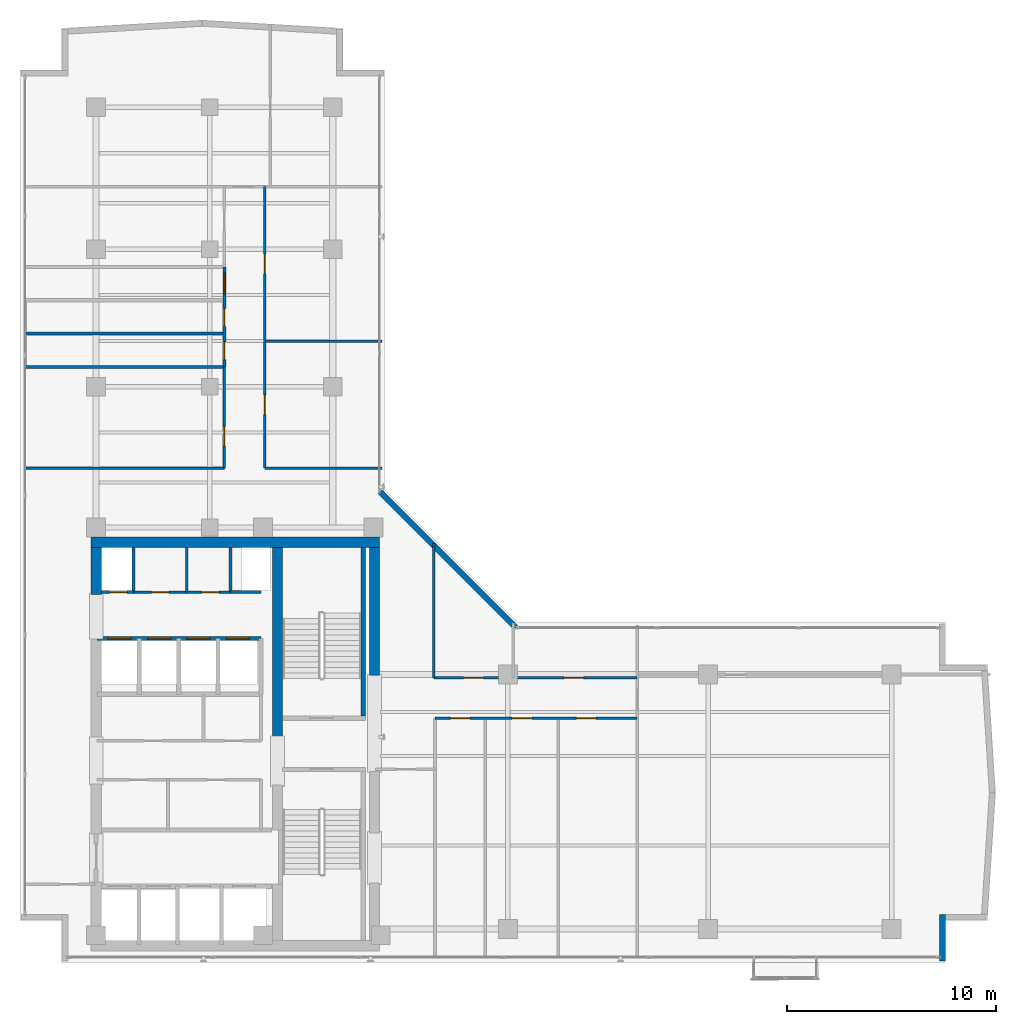
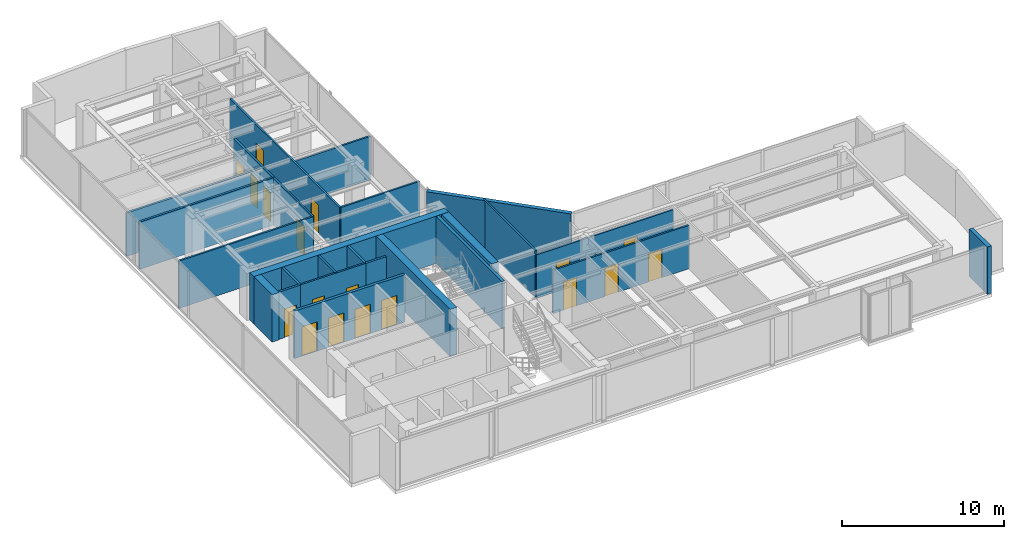
# One storey, part 17 of 23: 25 walls, 18 doors, 18 openings.
"""IFC4 building model written with IfcOpenShell, lengths in metres."""

from ifc_helpers import new_model, si_unit, direction, frame, frame_2d, origin, place, context, subcontext, project, spatial, rectangle, extrude, material, layer, layer_set, type_object, element, fill, save


model = new_model("IFC4")

# Units and contexts
model_context = context("Model", 3, precision=1e-05, world=origin(), true_north=direction((0.0, 1.0)))
body_context = subcontext(model_context, "Body", "Model", "MODEL_VIEW")
ifc_project = project(units=[si_unit("LENGTHUNIT", "METRE"), si_unit("AREAUNIT", "SQUARE_METRE"), si_unit("VOLUMEUNIT", "CUBIC_METRE"), si_unit("PLANEANGLEUNIT", "RADIAN"), si_unit("MASSUNIT", "GRAM", prefix="KILO")], contexts=[model_context])

# Site, building, storey
site_placement = place(None, origin())
site = spatial("IfcSite", under=ifc_project, at=site_placement, CompositionType="ELEMENT")
building_placement = place(site_placement, origin())
building = spatial("IfcBuilding", under=site, at=building_placement, Name="Kolvaren Waterfront Exchange", CompositionType="ELEMENT")
storey_placement = place(building_placement, frame((0.0, 0.0, 304.60009765625)))
storey = spatial("IfcBuildingStorey", under=building, at=storey_placement, Name="L78", CompositionType="ELEMENT", Elevation=304.60009765625)

# Walls
ifc_material_1 = material(Name="Precast concrete C40/50", Category="concrete")
ifc_layer_1 = layer(ifc_material_1, 0.280029296875, Name="Precast concrete C40/50")
ifc_layer_set_1 = layer_set([ifc_layer_1], Name="Precast concrete C40/50")
wall_type_1 = type_object("IfcWallType", Name="ARC-EXT-TERR-280", PredefinedType="SOLIDWALL", material=ifc_layer_set_1)
wall_1_placement = place(storey_placement, frame((48.03466796875, 3.659912109375, 0.0), z_axis=(0.0, 0.0, 1.0), x_axis=(0.0, 1.0, 0.0)))
element("IfcWall", 1, at=wall_1_placement, inside=storey, type_object=wall_type_1, Name="L78 notched corner spandrel pier SE-A", PredefinedType="SOLIDWALL", context=body_context, shape_type="SweptSolid", body=[
    extrude(rectangle(XDim=2.239990234375, YDim=0.280029296875, at=frame_2d((1.1201171875, 0.0))), origin(), (0.0, 0.0, 1.0), 3.559814453125),
])
wall_2_placement = place(storey_placement, frame((27.569091796875, 19.6591796875, 0.0), z_axis=(0.0, 0.0, 1.0), x_axis=(-0.707106781187, 0.707106781187, 0.0)))
element("IfcWall", 2, at=wall_2_placement, inside=storey, type_object=wall_type_1, Name="L78 notched corner spandrel pier ELBOW", PredefinedType="SOLIDWALL", context=body_context, shape_type="SweptSolid", body=[
    extrude(rectangle(XDim=9.20654296875, YDim=0.280029296875, at=frame_2d((4.603271484375, 0.0))), origin(), (0.0, 0.0, 1.0), 3.559814453125),
])

# Wall, openings, doors
ifc_material_2 = material(Name="Acoustic gypsum steel stud", Category="steel")
ifc_layer_2 = layer(ifc_material_2, 0.125, Name="Acoustic gypsum steel stud")
ifc_layer_set_2 = layer_set([ifc_layer_2], Name="Acoustic gypsum steel stud")
wall_type_2 = type_object("IfcWallType", Name="ARC-PART-125", PredefinedType="PARTITIONING", material=ifc_layer_set_2)
wall_3_placement = place(storey_placement, frame((9.25, 21.35009765625, 0.0), z_axis=(0.0, 0.0, 1.0), x_axis=(1.0, 0.0, 0.0)))
wall_3 = element("IfcWall", 3, at=wall_3_placement, inside=storey, type_object=wall_type_2, Name="L78 interior wall PW-L78-SVC-HI-S", PredefinedType="PARTITIONING", context=body_context, shape_type="SweptSolid", body=[
    extrude(rectangle(XDim=4.64990234375, YDim=0.125, at=frame_2d((2.324951171875, 0.0))), origin(), (0.0, 0.0, 1.0), 3.559814453125),
])
opening_1_placement = place(wall_3_placement, frame((0.85009765625, 0.0, 0.0)))
opening_1 = element("IfcOpeningElement", 4, at=opening_1_placement, cuts=wall_3, Name="Opening D01", PredefinedType="OPENING", context=body_context, shape_type="SweptSolid", body=[
    extrude(rectangle(XDim=0.85009765625, YDim=2.14990234375, at=frame_2d((0.425048828125, 1.074951171875))), frame((0.0, 0.072509765625, 0.0), z_axis=(0.0, -1.0, 0.0), x_axis=(1.0, 0.0, 0.0)), (0.0, 0.0, 1.0), 0.14501953125),
])
opening_2_placement = place(wall_3_placement, frame((3.25, 0.0, 0.0)))
opening_2 = element("IfcOpeningElement", 5, at=opening_2_placement, cuts=wall_3, Name="Opening D01", PredefinedType="OPENING", context=body_context, shape_type="SweptSolid", body=[
    extrude(rectangle(XDim=0.85009765625, YDim=2.14990234375, at=frame_2d((0.425048828125, 1.074951171875))), frame((0.0, 0.072509765625, 0.0), z_axis=(0.0, -1.0, 0.0), x_axis=(1.0, 0.0, 0.0)), (0.0, 0.0, 1.0), 0.14501953125),
])
ifc_material_3 = material(Name="Oak veneer timber leaf", Category="wood")
door_type_1 = type_object("IfcDoorType", Name="ARC-DR-900", OperationType="NOTDEFINED", PredefinedType="DOOR", material=ifc_material_3)
door_1_placement = place(opening_1_placement, origin())
door_1 = element("IfcDoor", 6, at=door_1_placement, inside=storey, type_object=door_type_1, Name="L78 door DR-L78-SVC-DR-1 (D01)", OperationType="SINGLE_SWING_RIGHT", OverallHeight=2.14990234375, OverallWidth=0.85009765625, PredefinedType="DOOR", context=body_context, shape_type="SweptSolid", body=[
    extrude(rectangle(XDim=0.85009765625, YDim=2.14990234375, at=frame_2d((0.425048828125, 1.074951171875))), frame((0.0, 0.02490234375, 0.0), z_axis=(0.0, -1.0, 0.0), x_axis=(1.0, 0.0, 0.0)), (0.0, 0.0, 1.0), 0.050048828125),
])
fill(opening_1, door_1)
door_2_placement = place(opening_2_placement, origin())
door_2 = element("IfcDoor", 7, at=door_2_placement, inside=storey, type_object=door_type_1, Name="L78 door DR-L78-SVC-DR-2 (D01)", OperationType="SINGLE_SWING_LEFT", OverallHeight=2.14990234375, OverallWidth=0.85009765625, PredefinedType="DOOR", context=body_context, shape_type="SweptSolid", body=[
    extrude(rectangle(XDim=0.85009765625, YDim=2.14990234375, at=frame_2d((0.425048828125, 1.074951171875))), frame((0.0, 0.02490234375, 0.0), z_axis=(0.0, -1.0, 0.0), x_axis=(1.0, 0.0, 0.0)), (0.0, 0.0, 1.0), 0.050048828125),
])
fill(opening_2, door_2)

# Wall
wall_4_placement = place(storey_placement, frame((11.800048828125, 21.35009765625, 0.0), z_axis=(0.0, 0.0, 1.0), x_axis=(0.0, 1.0, 0.0)))
element("IfcWall", 8, at=wall_4_placement, inside=storey, type_object=wall_type_2, Name="L78 interior wall PW-L78-SVC-HI-M", PredefinedType="PARTITIONING", context=body_context, shape_type="SweptSolid", body=[
    extrude(rectangle(XDim=2.1298828125, YDim=0.125, at=frame_2d((1.06494140625, 0.0))), origin(), (0.0, 0.0, 1.0), 3.559814453125),
])

# Wall, opening, door
wall_5_placement = place(storey_placement, frame((13.60009765625, 27.300048828125, 0.0), z_axis=(0.0, 0.0, 1.0), x_axis=(0.0, 1.0, 0.0)))
wall_5 = element("IfcWall", 9, at=wall_5_placement, inside=storey, type_object=wall_type_2, Name="L78 interior wall PW-L78-PREWC-E", PredefinedType="PARTITIONING", context=body_context, shape_type="SweptSolid", body=[
    extrude(rectangle(XDim=4.849853515625, YDim=0.125, at=frame_2d((2.4248046875, 0.0))), origin(), (0.0, 0.0, 1.0), 3.559814453125),
])
opening_3_placement = place(wall_5_placement, frame((1.050048828125, 0.0, 0.0)))
opening_3 = element("IfcOpeningElement", 10, at=opening_3_placement, cuts=wall_5, Name="Opening D02", PredefinedType="OPENING", context=body_context, shape_type="SweptSolid", body=[
    extrude(rectangle(XDim=0.949951171875, YDim=2.14990234375, at=frame_2d((0.47509765625, 1.074951171875))), frame((0.0, 0.072509765625, 0.0), z_axis=(0.0, -1.0, 0.0), x_axis=(1.0, 0.0, 0.0)), (0.0, 0.0, 1.0), 0.14501953125),
])
ifc_material_4 = material(Name="Oak veneer acoustic timber", Category="wood")
door_type_2 = type_object("IfcDoorType", Name="ARC-DR-950", OperationType="NOTDEFINED", PredefinedType="DOOR", material=ifc_material_4)
door_3_placement = place(opening_3_placement, origin())
door_3 = element("IfcDoor", 11, at=door_3_placement, inside=storey, type_object=door_type_2, Name="L78 door DR-L78-PREWC-D (D02)", OperationType="SINGLE_SWING_RIGHT", OverallHeight=2.14990234375, OverallWidth=0.949951171875, PredefinedType="DOOR", context=body_context, shape_type="SweptSolid", body=[
    extrude(rectangle(XDim=0.949951171875, YDim=2.14990234375, at=frame_2d((0.47509765625, 1.074951171875))), frame((0.0, 0.02490234375, 0.0), z_axis=(0.0, -1.0, 0.0), x_axis=(1.0, 0.0, 0.0)), (0.0, 0.0, 1.0), 0.050048828125),
])
fill(opening_3, door_3)

# Wall
wall_6_placement = place(storey_placement, frame((4.0400390625, 27.300048828125, 0.0), z_axis=(0.0, 0.0, 1.0), x_axis=(1.0, 0.0, 0.0)))
element("IfcWall", 12, at=wall_6_placement, inside=storey, type_object=wall_type_2, Name="L78 interior wall PW-L78-PREWC-S", PredefinedType="PARTITIONING", context=body_context, shape_type="SweptSolid", body=[
    extrude(rectangle(XDim=9.56005859375, YDim=0.125, at=frame_2d((4.780029296875, 0.0))), origin(), (0.0, 0.0, 1.0), 3.559814453125),
])

# Wall, openings, doors
wall_7_placement = place(storey_placement, frame((23.699951171875, 15.300048828125, 0.0), z_axis=(0.0, 0.0, 1.0), x_axis=(1.0, 0.0, 0.0)))
wall_7 = element("IfcWall", 13, at=wall_7_placement, inside=storey, type_object=wall_type_2, Name="L78 interior wall PW-L78-ES-CORR", PredefinedType="PARTITIONING", context=body_context, shape_type="SweptSolid", body=[
    extrude(rectangle(XDim=9.699951171875, YDim=0.125, at=frame_2d((4.85009765625, 0.0))), origin(), (0.0, 0.0, 1.0), 3.260009765625),
])
opening_4_placement = place(wall_7_placement, frame((0.735107421875, 0.0, 0.0)))
opening_4 = element("IfcOpeningElement", 14, at=opening_4_placement, cuts=wall_7, Name="Opening D02", PredefinedType="OPENING", context=body_context, shape_type="SweptSolid", body=[
    extrude(rectangle(XDim=0.949951171875, YDim=2.14990234375, at=frame_2d((0.47509765625, 1.074951171875))), frame((0.0, 0.072509765625, 0.0), z_axis=(0.0, -1.0, 0.0), x_axis=(1.0, 0.0, 0.0)), (0.0, 0.0, 1.0), 0.14501953125),
])
opening_5_placement = place(wall_7_placement, frame((3.695068359375, 0.0, 0.0)))
opening_5 = element("IfcOpeningElement", 15, at=opening_5_placement, cuts=wall_7, Name="Opening D02", PredefinedType="OPENING", context=body_context, shape_type="SweptSolid", body=[
    extrude(rectangle(XDim=0.949951171875, YDim=2.14990234375, at=frame_2d((0.47509765625, 1.074951171875))), frame((0.0, 0.072509765625, 0.0), z_axis=(0.0, -1.0, 0.0), x_axis=(1.0, 0.0, 0.0)), (0.0, 0.0, 1.0), 0.14501953125),
])
opening_6_placement = place(wall_7_placement, frame((6.782958984375, 0.0, 0.0)))
opening_6 = element("IfcOpeningElement", 16, at=opening_6_placement, cuts=wall_7, Name="Opening D02", PredefinedType="OPENING", context=body_context, shape_type="SweptSolid", body=[
    extrude(rectangle(XDim=0.949951171875, YDim=2.14990234375, at=frame_2d((0.47509765625, 1.074951171875))), frame((0.0, 0.072509765625, 0.0), z_axis=(0.0, -1.0, 0.0), x_axis=(1.0, 0.0, 0.0)), (0.0, 0.0, 1.0), 0.14501953125),
])
door_4_placement = place(opening_4_placement, origin())
door_4 = element("IfcDoor", 17, at=door_4_placement, inside=storey, type_object=door_type_2, Name="L78 door DR-L78-ES-D-1 (D02)", OperationType="SINGLE_SWING_RIGHT", OverallHeight=2.14990234375, OverallWidth=0.949951171875, PredefinedType="DOOR", context=body_context, shape_type="SweptSolid", body=[
    extrude(rectangle(XDim=0.949951171875, YDim=2.14990234375, at=frame_2d((0.47509765625, 1.074951171875))), frame((0.0, 0.02490234375, 0.0), z_axis=(0.0, -1.0, 0.0), x_axis=(1.0, 0.0, 0.0)), (0.0, 0.0, 1.0), 0.050048828125),
])
fill(opening_4, door_4)
door_5_placement = place(opening_5_placement, origin())
door_5 = element("IfcDoor", 18, at=door_5_placement, inside=storey, type_object=door_type_2, Name="L78 door DR-L78-ES-D-2 (D02)", OperationType="SINGLE_SWING_LEFT", OverallHeight=2.14990234375, OverallWidth=0.949951171875, PredefinedType="DOOR", context=body_context, shape_type="SweptSolid", body=[
    extrude(rectangle(XDim=0.949951171875, YDim=2.14990234375, at=frame_2d((0.47509765625, 1.074951171875))), frame((0.0, 0.02490234375, 0.0), z_axis=(0.0, -1.0, 0.0), x_axis=(1.0, 0.0, 0.0)), (0.0, 0.0, 1.0), 0.050048828125),
])
fill(opening_5, door_5)
door_6_placement = place(opening_6_placement, origin())
door_6 = element("IfcDoor", 19, at=door_6_placement, inside=storey, type_object=door_type_2, Name="L78 door DR-L78-ES-D-3 (D02)", OperationType="SINGLE_SWING_RIGHT", OverallHeight=2.14990234375, OverallWidth=0.949951171875, PredefinedType="DOOR", context=body_context, shape_type="SweptSolid", body=[
    extrude(rectangle(XDim=0.949951171875, YDim=2.14990234375, at=frame_2d((0.47509765625, 1.074951171875))), frame((0.0, 0.02490234375, 0.0), z_axis=(0.0, -1.0, 0.0), x_axis=(1.0, 0.0, 0.0)), (0.0, 0.0, 1.0), 0.050048828125),
])
fill(opening_6, door_6)

# Wall
wall_8_placement = place(storey_placement, frame((23.64990234375, 17.239990234375, 0.0), z_axis=(0.0, 0.0, 1.0), x_axis=(0.0, 1.0, 0.0)))
element("IfcWall", 20, at=wall_8_placement, inside=storey, type_object=wall_type_2, Name="L78 interior wall PW-L78-EN-W0", PredefinedType="PARTITIONING", context=body_context, shape_type="SweptSolid", body=[
    extrude(rectangle(XDim=6.4384765625, YDim=0.125, at=frame_2d((3.21923828125, 0.0))), origin(), (0.0, 0.0, 1.0), 3.559814453125),
])

# Wall, openings, doors
wall_9_placement = place(storey_placement, frame((23.64990234375, 17.239990234375, 0.0), z_axis=(0.0, 0.0, 1.0), x_axis=(1.0, 0.0, 0.0)))
wall_9 = element("IfcWall", 21, at=wall_9_placement, inside=storey, type_object=wall_type_2, Name="L78 interior wall PW-L78-EN-CORR", PredefinedType="PARTITIONING", context=body_context, shape_type="SweptSolid", body=[
    extrude(rectangle(XDim=9.75, YDim=0.125, at=frame_2d((4.875, 0.0))), origin(), (0.0, 0.0, 1.0), 3.260009765625),
])
opening_7_placement = place(wall_9_placement, frame((1.425048828125, 0.0, 0.0)))
opening_7 = element("IfcOpeningElement", 22, at=opening_7_placement, cuts=wall_9, Name="Opening D02", PredefinedType="OPENING", context=body_context, shape_type="SweptSolid", body=[
    extrude(rectangle(XDim=0.949951171875, YDim=2.14990234375, at=frame_2d((0.47509765625, 1.074951171875))), frame((0.0, 0.072509765625, 0.0), z_axis=(0.0, -1.0, 0.0), x_axis=(1.0, 0.0, 0.0)), (0.0, 0.0, 1.0), 0.14501953125),
])
opening_8_placement = place(wall_9_placement, frame((6.2275390625, 0.0, 0.0)))
opening_8 = element("IfcOpeningElement", 23, at=opening_8_placement, cuts=wall_9, Name="Opening D02", PredefinedType="OPENING", context=body_context, shape_type="SweptSolid", body=[
    extrude(rectangle(XDim=0.949951171875, YDim=2.14990234375, at=frame_2d((0.47509765625, 1.074951171875))), frame((0.0, 0.072509765625, 0.0), z_axis=(0.0, -1.0, 0.0), x_axis=(1.0, 0.0, 0.0)), (0.0, 0.0, 1.0), 0.14501953125),
])
door_7_placement = place(opening_7_placement, origin())
door_7 = element("IfcDoor", 24, at=door_7_placement, inside=storey, type_object=door_type_2, Name="L78 door DR-L78-EN-D-1 (D02)", OperationType="SINGLE_SWING_LEFT", OverallHeight=2.14990234375, OverallWidth=0.949951171875, PredefinedType="DOOR", context=body_context, shape_type="SweptSolid", body=[
    extrude(rectangle(XDim=0.949951171875, YDim=2.14990234375, at=frame_2d((0.47509765625, 1.074951171875))), frame((0.0, 0.02490234375, 0.0), z_axis=(0.0, -1.0, 0.0), x_axis=(1.0, 0.0, 0.0)), (0.0, 0.0, 1.0), 0.050048828125),
])
fill(opening_7, door_7)
door_8_placement = place(opening_8_placement, origin())
door_8 = element("IfcDoor", 25, at=door_8_placement, inside=storey, type_object=door_type_2, Name="L78 door DR-L78-EN-D-2 (D02)", OperationType="SINGLE_SWING_RIGHT", OverallHeight=2.14990234375, OverallWidth=0.949951171875, PredefinedType="DOOR", context=body_context, shape_type="SweptSolid", body=[
    extrude(rectangle(XDim=0.949951171875, YDim=2.14990234375, at=frame_2d((0.47509765625, 1.074951171875))), frame((0.0, 0.02490234375, 0.0), z_axis=(0.0, -1.0, 0.0), x_axis=(1.0, 0.0, 0.0)), (0.0, 0.0, 1.0), 0.050048828125),
])
fill(opening_8, door_8)

# Wall
wall_10_placement = place(storey_placement, frame((15.5400390625, 27.300048828125, 0.0), z_axis=(0.0, 0.0, 1.0), x_axis=(1.0, 0.0, 0.0)))
element("IfcWall", 26, at=wall_10_placement, inside=storey, type_object=wall_type_2, Name="L78 interior wall PW-L78-NE-S0", PredefinedType="PARTITIONING", context=body_context, shape_type="SweptSolid", body=[
    extrude(rectangle(XDim=5.619873046875, YDim=0.125, at=frame_2d((2.81005859375, 0.0))), origin(), (0.0, 0.0, 1.0), 3.559814453125),
])

# Wall, openings, doors
wall_11_placement = place(storey_placement, frame((15.5400390625, 27.300048828125, 0.0), z_axis=(0.0, 0.0, 1.0), x_axis=(0.0, 1.0, 0.0)))
wall_11 = element("IfcWall", 27, at=wall_11_placement, inside=storey, type_object=wall_type_2, Name="L78 interior wall PW-L78-NE-CORR", PredefinedType="PARTITIONING", context=body_context, shape_type="SweptSolid", body=[
    extrude(rectangle(XDim=13.5, YDim=0.125, at=frame_2d((6.75, 0.0))), origin(), (0.0, 0.0, 1.0), 3.559814453125),
])
opening_9_placement = place(wall_11_placement, frame((2.56494140625, 0.0, 0.0)))
opening_9 = element("IfcOpeningElement", 28, at=opening_9_placement, cuts=wall_11, Name="Opening D02", PredefinedType="OPENING", context=body_context, shape_type="SweptSolid", body=[
    extrude(rectangle(XDim=0.949951171875, YDim=2.14990234375, at=frame_2d((0.47509765625, 1.074951171875))), frame((0.0, 0.072509765625, 0.0), z_axis=(0.0, -1.0, 0.0), x_axis=(1.0, 0.0, 0.0)), (0.0, 0.0, 1.0), 0.14501953125),
])
opening_10_placement = place(wall_11_placement, frame((9.31494140625, 0.0, 0.0)))
opening_10 = element("IfcOpeningElement", 29, at=opening_10_placement, cuts=wall_11, Name="Opening D02", PredefinedType="OPENING", context=body_context, shape_type="SweptSolid", body=[
    extrude(rectangle(XDim=0.949951171875, YDim=2.14990234375, at=frame_2d((0.47509765625, 1.074951171875))), frame((0.0, 0.072509765625, 0.0), z_axis=(0.0, -1.0, 0.0), x_axis=(1.0, 0.0, 0.0)), (0.0, 0.0, 1.0), 0.14501953125),
])
door_9_placement = place(opening_9_placement, origin())
door_9 = element("IfcDoor", 30, at=door_9_placement, inside=storey, type_object=door_type_2, Name="L78 door DR-L78-NE-D-1 (D02)", OperationType="SINGLE_SWING_RIGHT", OverallHeight=2.14990234375, OverallWidth=0.949951171875, PredefinedType="DOOR", context=body_context, shape_type="SweptSolid", body=[
    extrude(rectangle(XDim=0.949951171875, YDim=2.14990234375, at=frame_2d((0.47509765625, 1.074951171875))), frame((0.0, 0.02490234375, 0.0), z_axis=(0.0, -1.0, 0.0), x_axis=(1.0, 0.0, 0.0)), (0.0, 0.0, 1.0), 0.050048828125),
])
fill(opening_9, door_9)
door_10_placement = place(opening_10_placement, origin())
door_10 = element("IfcDoor", 31, at=door_10_placement, inside=storey, type_object=door_type_2, Name="L78 door DR-L78-NE-D-2 (D02)", OperationType="SINGLE_SWING_LEFT", OverallHeight=2.14990234375, OverallWidth=0.949951171875, PredefinedType="DOOR", context=body_context, shape_type="SweptSolid", body=[
    extrude(rectangle(XDim=0.949951171875, YDim=2.14990234375, at=frame_2d((0.47509765625, 1.074951171875))), frame((0.0, 0.02490234375, 0.0), z_axis=(0.0, -1.0, 0.0), x_axis=(1.0, 0.0, 0.0)), (0.0, 0.0, 1.0), 0.050048828125),
])
fill(opening_10, door_10)

# Walls
wall_12_placement = place(storey_placement, frame((15.5400390625, 33.3798828125, 0.0), z_axis=(0.0, 0.0, 1.0), x_axis=(1.0, 0.0, 0.0)))
element("IfcWall", 32, at=wall_12_placement, inside=storey, type_object=wall_type_2, Name="L78 interior wall PW-L78-NE-DIV-1", PredefinedType="PARTITIONING", context=body_context, shape_type="SweptSolid", body=[
    extrude(rectangle(XDim=5.619873046875, YDim=0.125, at=frame_2d((2.81005859375, 0.0))), origin(), (0.0, 0.0, 1.0), 3.260009765625),
])
ifc_material_5 = material(Name="Gypsum fireboard steel stud", Category="steel")
ifc_layer_3 = layer(ifc_material_5, 0.14990234375, Name="Gypsum fireboard steel stud")
ifc_layer_set_3 = layer_set([ifc_layer_3], Name="Gypsum fireboard steel stud")
wall_type_3 = type_object("IfcWallType", Name="ARC-PART-150", PredefinedType="PARTITIONING", material=ifc_layer_set_3)
for number, where, z_axis, x_axis, name in (
    (33, (9.25, 21.35009765625, 0.0), (0.0, 0.0, 1.0), (0.0, 1.0, 0.0), "L78 interior wall PW-L78-SVC-R1"),
    (34, (13.89990234375, 21.35009765625, 0.0), (0.0, 0.0, 1.0), (0.0, 1.0, 0.0), "L78 interior wall PW-L78-SVC-R2"),
):
    element("IfcWall", number, at=place(storey_placement, frame(where, z_axis=z_axis, x_axis=x_axis)), inside=storey, type_object=wall_type_3, Name=name, PredefinedType="PARTITIONING", context=body_context, shape_type="SweptSolid", body=[
        extrude(rectangle(XDim=2.1298828125, YDim=0.14990234375, at=frame_2d((1.06494140625, 0.0))), origin(), (0.0, 0.0, 1.0), 3.559814453125),
    ])

# Wall, opening, door
wall_13_placement = place(storey_placement, frame((7.699951171875, 21.35009765625, 0.0), z_axis=(0.0, 0.0, 1.0), x_axis=(1.0, 0.0, 0.0)))
wall_13 = element("IfcWall", 35, at=wall_13_placement, inside=storey, type_object=wall_type_3, Name="L78 interior wall PW-L78-SVC-RE-S", PredefinedType="PARTITIONING", context=body_context, shape_type="SweptSolid", body=[
    extrude(rectangle(XDim=1.550048828125, YDim=0.14990234375, at=frame_2d((0.77490234375, 0.0))), origin(), (0.0, 0.0, 1.0), 3.559814453125),
])
opening_11_placement = place(wall_13_placement, frame((0.389892578125, 0.0, 0.0)))
opening_11 = element("IfcOpeningElement", 36, at=opening_11_placement, cuts=wall_13, Name="Opening FD1", PredefinedType="OPENING", context=body_context, shape_type="SweptSolid", body=[
    extrude(rectangle(XDim=0.85009765625, YDim=2.14990234375, at=frame_2d((0.425048828125, 1.074951171875))), frame((0.0, 0.0849609375, 0.0), z_axis=(0.0, -1.0, 0.0), x_axis=(1.0, 0.0, 0.0)), (0.0, 0.0, 1.0), 0.169921875),
])
ifc_material_6 = material(Name="Pressed steel fire leaf", Category="steel")
door_type_3 = type_object("IfcDoorType", Name="ARC-FD-900", OperationType="NOTDEFINED", PredefinedType="DOOR", material=ifc_material_6)
door_11_placement = place(opening_11_placement, origin())
door_11 = element("IfcDoor", 37, at=door_11_placement, inside=storey, type_object=door_type_3, Name="L78 door DR-L78-RISER-E-DR (FD1)", OperationType="SINGLE_SWING_LEFT", OverallHeight=2.14990234375, OverallWidth=0.85009765625, PredefinedType="DOOR", context=body_context, shape_type="SweptSolid", body=[
    extrude(rectangle(XDim=0.85009765625, YDim=2.14990234375, at=frame_2d((0.425048828125, 1.074951171875))), frame((0.0, 0.02490234375, 0.0), z_axis=(0.0, -1.0, 0.0), x_axis=(1.0, 0.0, 0.0)), (0.0, 0.0, 1.0), 0.050048828125),
])
fill(opening_11, door_11)

# Walls
wall_14_placement = place(storey_placement, frame((13.89990234375, 21.35009765625, 0.0), z_axis=(0.0, 0.0, 1.0), x_axis=(1.0, 0.0, 0.0)))
element("IfcWall", 38, at=wall_14_placement, inside=storey, type_object=wall_type_3, Name="L78 interior wall PW-L78-SVC-RP-S", PredefinedType="PARTITIONING", context=body_context, shape_type="SweptSolid", body=[
    extrude(rectangle(XDim=1.4501953125, YDim=0.14990234375, at=frame_2d((0.72509765625, 0.0))), origin(), (0.0, 0.0, 1.0), 3.559814453125),
])
ifc_material_7 = material(Name="Moisture-resistant gypsum stud")
ifc_layer_4 = layer(ifc_material_7, 0.14990234375, Name="Moisture-resistant gypsum stud")
ifc_layer_set_4 = layer_set([ifc_layer_4], Name="Moisture-resistant gypsum stud")
wall_type_4 = type_object("IfcWallType", Name="ARC-PLUMB-150", PredefinedType="PLUMBINGWALL", material=ifc_layer_set_4)
wall_15_placement = place(storey_placement, frame((4.0400390625, 32.14990234375, 0.0), z_axis=(0.0, 0.0, 1.0), x_axis=(1.0, 0.0, 0.0)))
element("IfcWall", 39, at=wall_15_placement, inside=storey, type_object=wall_type_4, Name="L78 interior wall PW-L78-WC-0", PredefinedType="PLUMBINGWALL", context=body_context, shape_type="SweptSolid", body=[
    extrude(rectangle(XDim=9.56005859375, YDim=0.14990234375, at=frame_2d((4.780029296875, 0.0))), origin(), (0.0, 0.0, 1.0), 3.559814453125),
])

# Wall, openings, doors
wall_16_placement = place(storey_placement, frame((13.60009765625, 32.14990234375, 0.0), z_axis=(0.0, 0.0, 1.0), x_axis=(0.0, 1.0, 0.0)))
wall_16 = element("IfcWall", 40, at=wall_16_placement, inside=storey, type_object=wall_type_4, Name="L78 interior wall PW-L78-WC-E", PredefinedType="PLUMBINGWALL", context=body_context, shape_type="SweptSolid", body=[
    extrude(rectangle(XDim=4.800048828125, YDim=0.14990234375, at=frame_2d((2.39990234375, 0.0))), origin(), (0.0, 0.0, 1.0), 3.559814453125),
])
opening_12_placement = place(wall_16_placement, frame((0.35009765625, 0.0, 0.0)))
opening_12 = element("IfcOpeningElement", 41, at=opening_12_placement, cuts=wall_16, Name="Opening D01", PredefinedType="OPENING", context=body_context, shape_type="SweptSolid", body=[
    extrude(rectangle(XDim=0.85009765625, YDim=2.14990234375, at=frame_2d((0.425048828125, 1.074951171875))), frame((0.0, 0.0849609375, 0.0), z_axis=(0.0, -1.0, 0.0), x_axis=(1.0, 0.0, 0.0)), (0.0, 0.0, 1.0), 0.169921875),
])
opening_13_placement = place(wall_16_placement, frame((1.949951171875, 0.0, 0.0)))
opening_13 = element("IfcOpeningElement", 42, at=opening_13_placement, cuts=wall_16, Name="Opening D01", PredefinedType="OPENING", context=body_context, shape_type="SweptSolid", body=[
    extrude(rectangle(XDim=0.85009765625, YDim=2.14990234375, at=frame_2d((0.425048828125, 1.074951171875))), frame((0.0, 0.0849609375, 0.0), z_axis=(0.0, -1.0, 0.0), x_axis=(1.0, 0.0, 0.0)), (0.0, 0.0, 1.0), 0.169921875),
])
opening_14_placement = place(wall_16_placement, frame((3.5, 0.0, 0.0)))
opening_14 = element("IfcOpeningElement", 43, at=opening_14_placement, cuts=wall_16, Name="Opening D03", PredefinedType="OPENING", context=body_context, shape_type="SweptSolid", body=[
    extrude(rectangle(XDim=1.0, YDim=2.199951171875, at=frame_2d((0.5, 1.10009765625))), frame((0.0, 0.0849609375, 0.0), z_axis=(0.0, -1.0, 0.0), x_axis=(1.0, 0.0, 0.0)), (0.0, 0.0, 1.0), 0.169921875),
])
ifc_material_8 = material(Name="Oak veneer accessible timber", Category="wood")
door_type_4 = type_object("IfcDoorType", Name="ARC-DR-1000", OperationType="NOTDEFINED", PredefinedType="DOOR", material=ifc_material_8)
door_12_placement = place(opening_14_placement, origin())
door_12 = element("IfcDoor", 44, at=door_12_placement, inside=storey, type_object=door_type_4, Name="L78 door DR-L78-WCA-D (D03)", OperationType="SINGLE_SWING_LEFT", OverallHeight=2.199951171875, OverallWidth=1.0, PredefinedType="DOOR", context=body_context, shape_type="SweptSolid", body=[
    extrude(rectangle(XDim=1.0, YDim=2.199951171875, at=frame_2d((0.5, 1.10009765625))), frame((0.0, 0.02490234375, 0.0), z_axis=(0.0, -1.0, 0.0), x_axis=(1.0, 0.0, 0.0)), (0.0, 0.0, 1.0), 0.050048828125),
])
fill(opening_14, door_12)
door_13_placement = place(opening_12_placement, origin())
door_13 = element("IfcDoor", 45, at=door_13_placement, inside=storey, type_object=door_type_1, Name="L78 door DR-L78-WCM-D (D01)", OperationType="SINGLE_SWING_LEFT", OverallHeight=2.14990234375, OverallWidth=0.85009765625, PredefinedType="DOOR", context=body_context, shape_type="SweptSolid", body=[
    extrude(rectangle(XDim=0.85009765625, YDim=2.14990234375, at=frame_2d((0.425048828125, 1.074951171875))), frame((0.0, 0.02490234375, 0.0), z_axis=(0.0, -1.0, 0.0), x_axis=(1.0, 0.0, 0.0)), (0.0, 0.0, 1.0), 0.050048828125),
])
fill(opening_12, door_13)
door_14_placement = place(opening_13_placement, origin())
door_14 = element("IfcDoor", 46, at=door_14_placement, inside=storey, type_object=door_type_1, Name="L78 door DR-L78-WCF-D (D01)", OperationType="SINGLE_SWING_RIGHT", OverallHeight=2.14990234375, OverallWidth=0.85009765625, PredefinedType="DOOR", context=body_context, shape_type="SweptSolid", body=[
    extrude(rectangle(XDim=0.85009765625, YDim=2.14990234375, at=frame_2d((0.425048828125, 1.074951171875))), frame((0.0, 0.02490234375, 0.0), z_axis=(0.0, -1.0, 0.0), x_axis=(1.0, 0.0, 0.0)), (0.0, 0.0, 1.0), 0.050048828125),
])
fill(opening_13, door_14)

# Walls
wall_17_placement = place(storey_placement, frame((4.0400390625, 33.75, 0.0), z_axis=(0.0, 0.0, 1.0), x_axis=(1.0, 0.0, 0.0)))
element("IfcWall", 47, at=wall_17_placement, inside=storey, type_object=wall_type_4, Name="L78 interior wall PW-L78-WC-1", PredefinedType="PLUMBINGWALL", context=body_context, shape_type="SweptSolid", body=[
    extrude(rectangle(XDim=9.56005859375, YDim=0.14990234375, at=frame_2d((4.780029296875, 0.0))), origin(), (0.0, 0.0, 1.0), 3.260009765625),
])
ifc_material_9 = material(Name="Concrete C40/50", Category="concrete")
ifc_layer_5 = layer(ifc_material_9, 0.199951171875, Name="Concrete C40/50")
ifc_layer_set_5 = layer_set([ifc_layer_5], Name="Concrete C40/50")
wall_type_5 = type_object("IfcWallType", Name="ARC-SHAFT-200", PredefinedType="PARTITIONING", material=ifc_layer_set_5)
wall_18_placement = place(storey_placement, frame((20.260009765625, 15.39990234375, 0.0), z_axis=(0.0, 0.0, 1.0), x_axis=(0.0, 1.0, 0.0)))
element("IfcWall", 48, at=wall_18_placement, inside=storey, type_object=wall_type_5, Name="L78 structural stairwell wall PW-L78-ST2-E", PredefinedType="SHEAR", context=body_context, shape_type="SweptSolid", body=[
    extrude(rectangle(XDim=8.090087890625, YDim=0.199951171875, at=frame_2d((4.044921875, 0.0))), origin(), (0.0, 0.0, 1.0), 3.559814453125),
])

# Wall, openings, doors
wall_19_placement = place(storey_placement, frame((7.5, 19.1201171875, 0.0), z_axis=(0.0, 0.0, 1.0), x_axis=(1.0, 0.0, 0.0)))
wall_19 = element("IfcWall", 49, at=wall_19_placement, inside=storey, type_object=wall_type_5, Name="L78 interior wall PW-L78-PH-N", PredefinedType="PARTITIONING", context=body_context, shape_type="SweptSolid", body=[
    extrude(rectangle(XDim=7.85009765625, YDim=0.199951171875, at=frame_2d((3.925048828125, 0.0))), origin(), (0.0, 0.0, 1.0), 3.559814453125),
])
opening_15_placement = place(wall_19_placement, frame((0.530029296875, 0.0, 0.0)))
opening_15 = element("IfcOpeningElement", 50, at=opening_15_placement, cuts=wall_19, Name="Opening LD2", PredefinedType="OPENING", context=body_context, shape_type="SweptSolid", body=[
    extrude(rectangle(XDim=1.10009765625, YDim=2.199951171875, at=frame_2d((0.550048828125, 1.10009765625))), frame((0.0, 0.10986328125, 0.0), z_axis=(0.0, -1.0, 0.0), x_axis=(1.0, 0.0, 0.0)), (0.0, 0.0, 1.0), 0.219970703125),
])
opening_16_placement = place(wall_19_placement, frame((2.419921875, 0.0, 0.0)))
opening_16 = element("IfcOpeningElement", 51, at=opening_16_placement, cuts=wall_19, Name="Opening LD2", PredefinedType="OPENING", context=body_context, shape_type="SweptSolid", body=[
    extrude(rectangle(XDim=1.10009765625, YDim=2.199951171875, at=frame_2d((0.550048828125, 1.10009765625))), frame((0.0, 0.10986328125, 0.0), z_axis=(0.0, -1.0, 0.0), x_axis=(1.0, 0.0, 0.0)), (0.0, 0.0, 1.0), 0.219970703125),
])
opening_17_placement = place(wall_19_placement, frame((4.31005859375, 0.0, 0.0)))
opening_17 = element("IfcOpeningElement", 52, at=opening_17_placement, cuts=wall_19, Name="Opening LD2", PredefinedType="OPENING", context=body_context, shape_type="SweptSolid", body=[
    extrude(rectangle(XDim=1.10009765625, YDim=2.199951171875, at=frame_2d((0.550048828125, 1.10009765625))), frame((0.0, 0.10986328125, 0.0), z_axis=(0.0, -1.0, 0.0), x_axis=(1.0, 0.0, 0.0)), (0.0, 0.0, 1.0), 0.219970703125),
])
opening_18_placement = place(wall_19_placement, frame((6.199951171875, 0.0, 0.0)))
opening_18 = element("IfcOpeningElement", 53, at=opening_18_placement, cuts=wall_19, Name="Opening LD2", PredefinedType="OPENING", context=body_context, shape_type="SweptSolid", body=[
    extrude(rectangle(XDim=1.10009765625, YDim=2.199951171875, at=frame_2d((0.550048828125, 1.10009765625))), frame((0.0, 0.10986328125, 0.0), z_axis=(0.0, -1.0, 0.0), x_axis=(1.0, 0.0, 0.0)), (0.0, 0.0, 1.0), 0.219970703125),
])
ifc_material_10 = material(Name="Brushed bronze sliding landing door", Category="aluminium")
door_type_5 = type_object("IfcDoorType", Name="ARC-LD-PAX", OperationType="SLIDING_TO_LEFT", PredefinedType="DOOR", material=ifc_material_10)
door_15_placement = place(opening_15_placement, origin())
door_15 = element("IfcDoor", 54, at=door_15_placement, inside=storey, type_object=door_type_5, Name="L78 door LD-L78-PH1 (LD2)", OperationType="SLIDING_TO_LEFT", OverallHeight=2.199951171875, OverallWidth=1.10009765625, PredefinedType="DOOR", context=body_context, shape_type="SweptSolid", body=[
    extrude(rectangle(XDim=1.10009765625, YDim=2.199951171875, at=frame_2d((0.550048828125, 1.10009765625))), frame((0.0, 0.02490234375, 0.0), z_axis=(0.0, -1.0, 0.0), x_axis=(1.0, 0.0, 0.0)), (0.0, 0.0, 1.0), 0.050048828125),
])
fill(opening_15, door_15)
door_16_placement = place(opening_16_placement, origin())
door_16 = element("IfcDoor", 55, at=door_16_placement, inside=storey, type_object=door_type_5, Name="L78 door LD-L78-PH2 (LD2)", OperationType="SLIDING_TO_LEFT", OverallHeight=2.199951171875, OverallWidth=1.10009765625, PredefinedType="DOOR", context=body_context, shape_type="SweptSolid", body=[
    extrude(rectangle(XDim=1.10009765625, YDim=2.199951171875, at=frame_2d((0.550048828125, 1.10009765625))), frame((0.0, 0.02490234375, 0.0), z_axis=(0.0, -1.0, 0.0), x_axis=(1.0, 0.0, 0.0)), (0.0, 0.0, 1.0), 0.050048828125),
])
fill(opening_16, door_16)
door_17_placement = place(opening_17_placement, origin())
door_17 = element("IfcDoor", 56, at=door_17_placement, inside=storey, type_object=door_type_5, Name="L78 door LD-L78-PH3 (LD2)", OperationType="SLIDING_TO_LEFT", OverallHeight=2.199951171875, OverallWidth=1.10009765625, PredefinedType="DOOR", context=body_context, shape_type="SweptSolid", body=[
    extrude(rectangle(XDim=1.10009765625, YDim=2.199951171875, at=frame_2d((0.550048828125, 1.10009765625))), frame((0.0, 0.02490234375, 0.0), z_axis=(0.0, -1.0, 0.0), x_axis=(1.0, 0.0, 0.0)), (0.0, 0.0, 1.0), 0.050048828125),
])
fill(opening_17, door_17)
door_18_placement = place(opening_18_placement, origin())
door_18 = element("IfcDoor", 57, at=door_18_placement, inside=storey, type_object=door_type_5, Name="L78 door LD-L78-PH4 (LD2)", OperationType="SLIDING_TO_LEFT", OverallHeight=2.199951171875, OverallWidth=1.10009765625, PredefinedType="DOOR", context=body_context, shape_type="SweptSolid", body=[
    extrude(rectangle(XDim=1.10009765625, YDim=2.199951171875, at=frame_2d((0.550048828125, 1.10009765625))), frame((0.0, 0.02490234375, 0.0), z_axis=(0.0, -1.0, 0.0), x_axis=(1.0, 0.0, 0.0)), (0.0, 0.0, 1.0), 0.050048828125),
])
fill(opening_18, door_18)

# Walls
ifc_material_11 = material(Name="Concrete C50/60", Category="concrete")
ifc_layer_6 = layer(ifc_material_11, 0.5, Name="Concrete C50/60")
ifc_layer_set_6 = layer_set([ifc_layer_6], Name="Concrete C50/60")
wall_type_6 = type_object("IfcWallType", Name="STR-CWALL-500", PredefinedType="SHEAR", material=ifc_layer_set_6)
wall_20_placement = place(storey_placement, frame((7.199951171875, 23.75, 0.0), z_axis=(0.0, 0.0, 1.0), x_axis=(1.0, 0.0, 0.0)))
element("IfcWall", 58, at=wall_20_placement, inside=storey, type_object=wall_type_6, Name="L78 rear-core shear wall N", PredefinedType="SHEAR", context=body_context, shape_type="SweptSolid", body=[
    extrude(rectangle(XDim=13.85009765625, YDim=0.5, at=frame_2d((6.925048828125, 0.0))), origin(), (0.0, 0.0, 1.0), 3.559814453125),
])
wall_21_placement = place(storey_placement, frame((7.449951171875, 21.239990234375, 0.0), z_axis=(0.0, 0.0, 1.0), x_axis=(0.0, 1.0, 0.0)))
element("IfcWall", 59, at=wall_21_placement, inside=storey, type_object=wall_type_6, Name="L78 rear-core shear wall W3", PredefinedType="SHEAR", context=body_context, shape_type="SweptSolid", body=[
    extrude(rectangle(XDim=2.260009765625, YDim=0.5, at=frame_2d((1.1298828125, 0.0))), origin(), (0.0, 0.0, 1.0), 3.559814453125),
])
wall_22_placement = place(storey_placement, frame((20.800048828125, 17.35009765625, 0.0), z_axis=(0.0, 0.0, 1.0), x_axis=(0.0, 1.0, 0.0)))
element("IfcWall", 60, at=wall_22_placement, inside=storey, type_object=wall_type_6, Name="L78 rear-core shear wall E3", PredefinedType="SHEAR", context=body_context, shape_type="SweptSolid", body=[
    extrude(rectangle(XDim=6.14990234375, YDim=0.5, at=frame_2d((3.074951171875, 0.0))), origin(), (0.0, 0.0, 1.0), 3.559814453125),
])
wall_23_placement = place(storey_placement, frame((16.14990234375, 14.39990234375, 0.0), z_axis=(0.0, 0.0, 1.0), x_axis=(0.0, 1.0, 0.0)))
element("IfcWall", 61, at=wall_23_placement, inside=storey, type_object=wall_type_6, Name="L78 rear-core shear wall M3", PredefinedType="SHEAR", context=body_context, shape_type="SweptSolid", body=[
    extrude(rectangle(XDim=9.10009765625, YDim=0.5, at=frame_2d((4.550048828125, 0.0))), origin(), (0.0, 0.0, 1.0), 3.559814453125),
])

save(model, "model.ifc")
